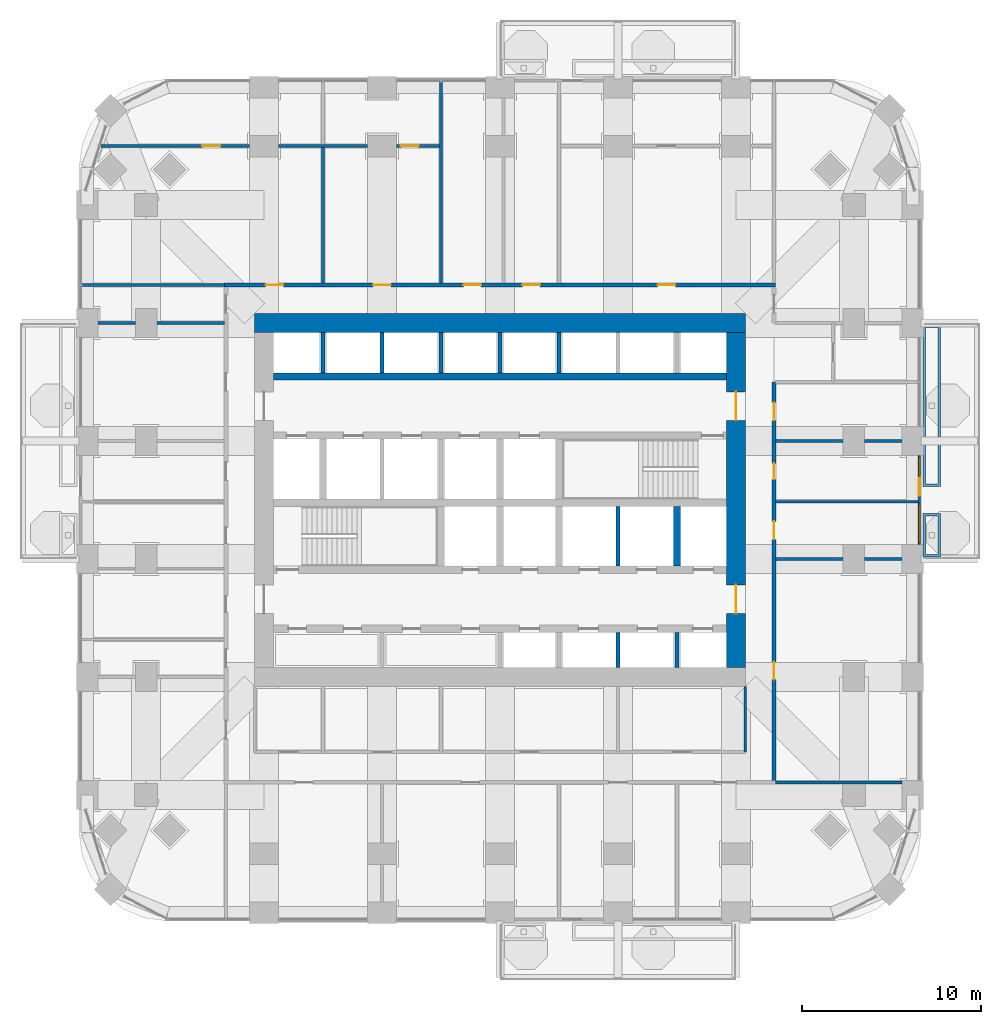
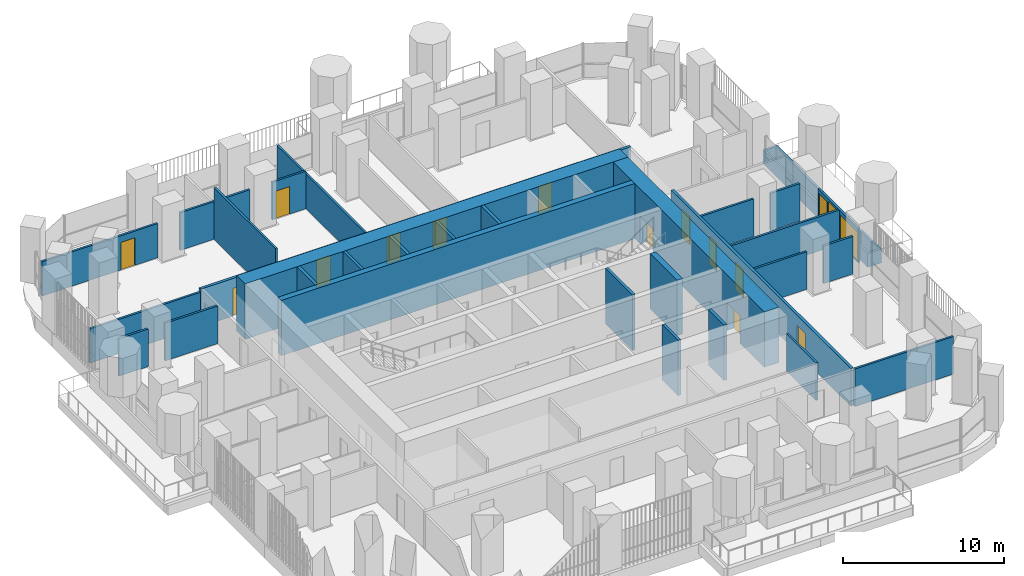
# One storey, part 16 of 22: 32 walls, 14 doors, 2 windows, 16 openings.
"""IFC4 building model written with IfcOpenShell, lengths in metres."""

import ifcopenshell
import ifcopenshell.guid

model = None  # the IFC model being written
_history = None  # IfcOwnerHistory: only IFC2X3 demands one
_inside = {}  # id of a spatial element -> (the spatial element, [elements in it])
_under = {}  # id of a project, library or spatial element -> (it, [spatial elements below it])
_declared = {}  # id of a project -> (the project, [libraries it declares])
_typed = {}  # id of a type object -> (the type object, [elements of that type])
_made_of = {}  # id of a material, layer set ... -> (it, [elements and type objects made of it])


def new_model(schema):
    """Start an empty IFC model of exactly this schema.

    Asked for "IFC4X3", IfcOpenShell would pick the latest addendum, in which some entities
    have other attributes; the version numbers below select the first issue.
    IFC2X3 requires an IfcOwnerHistory on every rooted entity: one is made here for all.
    """
    global model, _history
    if schema == "IFC4X3":
        model = ifcopenshell.file(schema_version=(4, 3, 0, 0))
    else:
        model = ifcopenshell.file(schema=schema)
    _inside.clear()
    _under.clear()
    _declared.clear()
    _typed.clear()
    _made_of.clear()
    _history = None
    if model.schema == "IFC2X3":
        org = make("IfcOrganization", Name="unknown")
        user = make(
            "IfcPersonAndOrganization",
            ThePerson=make("IfcPerson", FamilyName="unknown"),
            TheOrganization=org,
        )
        app = make(
            "IfcApplication",
            ApplicationDeveloper=org,
            Version="unknown",
            ApplicationFullName="unknown",
            ApplicationIdentifier="unknown",
        )
        _history = make(
            "IfcOwnerHistory",
            OwningUser=user,
            OwningApplication=app,
            ChangeAction="ADDED",
            CreationDate=0,
        )
    return model


def make(cls, **values):
    """One entity of the class cls with the attributes given. An attribute that is None is left unset."""
    return model.create_entity(
        cls, **{name: value for name, value in values.items() if value is not None}
    )


def rooted(cls, **values):
    """An entity with a GlobalId (a new one), such as an element, a storey or a relation."""
    return make(cls, GlobalId=ifcopenshell.guid.new(), OwnerHistory=_history, **values)


def si_unit(unit_type, name, prefix=None):
    """IfcSIUnit, for example si_unit("LENGTHUNIT", "METRE", prefix="MILLI")."""
    return make("IfcSIUnit", UnitType=unit_type, Prefix=prefix, Name=name)


def assignment(units):
    """IfcUnitAssignment: the units of a project."""
    return None if units is None else make("IfcUnitAssignment", Units=units)


def point(xyz):
    """IfcCartesianPoint."""
    return None if xyz is None else make("IfcCartesianPoint", Coordinates=xyz)


def direction(xyz):
    """IfcDirection."""
    return None if xyz is None else make("IfcDirection", DirectionRatios=xyz)


def frame(location, z_axis=None, x_axis=None):
    """IfcAxis2Placement3D, a coordinate frame: its origin and axes. An axis left out is left unset."""
    return make(
        "IfcAxis2Placement3D",
        Location=point(location),
        Axis=direction(z_axis),
        RefDirection=direction(x_axis),
    )


def frame_2d(location, x_axis=None):
    """IfcAxis2Placement2D, a coordinate frame in the plane: its origin and x axis."""
    return make(
        "IfcAxis2Placement2D", Location=point(location), RefDirection=direction(x_axis)
    )


def origin():
    """The frame at (0, 0, 0) with its axes left unset."""
    return frame((0.0, 0.0, 0.0))


def place(relative_to, where):
    """IfcLocalPlacement: puts the frame where relative to a parent placement (None: the world)."""
    return make(
        "IfcLocalPlacement", PlacementRelTo=relative_to, RelativePlacement=where
    )


def context(
    kind, dimensions, precision=None, world=None, true_north=None, identifier=None
):
    """IfcGeometricRepresentationContext, for example the 3D "Model" context."""
    return make(
        "IfcGeometricRepresentationContext",
        ContextIdentifier=identifier,
        ContextType=kind,
        CoordinateSpaceDimension=dimensions,
        Precision=precision,
        WorldCoordinateSystem=world,
        TrueNorth=true_north,
    )


def subcontext(parent, identifier, kind, view, scale=None):
    """IfcGeometricRepresentationSubContext, for example "Body" below "Model"."""
    return make(
        "IfcGeometricRepresentationSubContext",
        ContextIdentifier=identifier,
        ContextType=kind,
        ParentContext=parent,
        TargetScale=scale,
        TargetView=view,
    )


def project(units=None, contexts=None):
    """IfcProject with its units and contexts."""
    return rooted(
        "IfcProject",
        Name="project",
        RepresentationContexts=contexts,
        UnitsInContext=assignment(units),
    )


def spatial(cls, under=None, at=None, **own):
    """A site, building, storey or space (cls), placed at a placement, below another one or the project."""
    s = rooted(cls, ObjectPlacement=at, **own)
    if under is not None:
        _under.setdefault(under.id(), (under, []))[1].append(s)
    return s


def polyline(points):
    """IfcPolyline through the points."""
    return make("IfcPolyline", Points=[point(p) for p in points])


def profile(cls, at=None, kind="AREA", **sizes):
    """A parametric profile (cls). Its sizes go by their IFC names, for example OverallWidth=200.0."""
    return make(cls, ProfileType=kind, Position=at, **sizes)


def rectangle(**sizes):
    """IfcRectangleProfileDef."""
    return profile("IfcRectangleProfileDef", **sizes)


def outline(outer, holes=None, kind="AREA"):
    """IfcArbitraryClosedProfileDef: a profile drawn as a closed curve; with holes, ...WithVoids."""
    if holes is None:
        return make("IfcArbitraryClosedProfileDef", ProfileType=kind, OuterCurve=outer)
    return make(
        "IfcArbitraryProfileDefWithVoids",
        ProfileType=kind,
        OuterCurve=outer,
        InnerCurves=holes,
    )


def extrude(swept, where, along, depth):
    """IfcExtrudedAreaSolid: the profile swept, set in the frame where, extruded along a direction by depth."""
    return make(
        "IfcExtrudedAreaSolid",
        SweptArea=swept,
        Position=where,
        ExtrudedDirection=direction(along),
        Depth=depth,
    )


def shape(context_of_items, identifier, shape_type, items):
    """IfcShapeRepresentation: the items that make up one representation, for example the "Body"."""
    return make(
        "IfcShapeRepresentation",
        ContextOfItems=context_of_items,
        RepresentationIdentifier=identifier,
        RepresentationType=shape_type,
        Items=items,
    )


def material(Name=None, Category=None):
    """IfcMaterial."""
    return make("IfcMaterial", Name=Name, Category=Category)


def layer(
    of_material, thickness, ventilated=None, Name=None, Category=None, Priority=None
):
    """IfcMaterialLayer: one layer of a wall or slab, of a material (None: an air gap)."""
    return make(
        "IfcMaterialLayer",
        Material=of_material,
        LayerThickness=thickness,
        IsVentilated=ventilated,
        Name=Name,
        Category=Category,
        Priority=Priority,
    )


def layer_set(layers, Name=None):
    """IfcMaterialLayerSet."""
    return make("IfcMaterialLayerSet", MaterialLayers=layers, LayerSetName=Name)


def made_of(thing, what):
    """Note that an element or type object is made of a material, layer set ...; save() writes the relation."""
    if what is not None:
        _made_of.setdefault(what.id(), (what, []))[1].append(thing)
    return thing


def type_object(cls, material=None, **own):
    """A type object (cls), such as IfcWallType, which elements share."""
    return made_of(rooted(cls, **own), material)


def element(
    cls,
    number,
    at=None,
    inside=None,
    cuts=None,
    type_object=None,
    material=None,
    context=None,
    identifier="Body",
    shape_type=None,
    held_by="IfcProductDefinitionShape",
    body=None,
    shapes=None,
    **own,
):
    """One element of the class cls, such as IfcWall. Its Tag is "e" and its number.

    at: its placement. inside: the storey or other place that contains it. cuts: it is an
    opening in that element (IfcRelVoidsElement). A single representation is given by context,
    identifier, shape_type and body (its items); several are given by shapes. held_by: the class
    of the entity that holds the representations. save() writes the other relations.
    """
    e = rooted(cls, Tag="e%d" % number, ObjectPlacement=at, **own)
    if body is not None:
        shapes = [shape(context, identifier, shape_type, body)]
    if shapes is not None:
        e.Representation = make(held_by, Representations=shapes)
    if inside is not None:
        _inside.setdefault(inside.id(), (inside, []))[1].append(e)
    if cuts is not None:
        rooted(
            "IfcRelVoidsElement", RelatingBuildingElement=cuts, RelatedOpeningElement=e
        )
    if type_object is not None:
        _typed.setdefault(type_object.id(), (type_object, []))[1].append(e)
    return made_of(e, material)


def fill(opening, filler):
    """IfcRelFillsElement: the door or window that sits in an opening."""
    return rooted(
        "IfcRelFillsElement",
        RelatingOpeningElement=opening,
        RelatedBuildingElement=filler,
    )


def aggregate(whole, parts):
    """IfcRelAggregates: a whole, such as a stair, and the parts it consists of."""
    return rooted("IfcRelAggregates", RelatingObject=whole, RelatedObjects=parts)


def save(model, path):
    """Write the relations noted so far, then the file.

    IfcRelAggregates (storeys below a building ...), IfcRelContainedInSpatialStructure (elements
    in a storey), IfcRelDefinesByType, IfcRelAssociatesMaterial and IfcRelDeclares: one each for
    every whole, place, type object, material and project.
    """
    for whole, parts in _under.values():
        aggregate(whole, parts)
    for where, things in _inside.values():
        rooted(
            "IfcRelContainedInSpatialStructure",
            RelatedElements=things,
            RelatingStructure=where,
        )
    for kind, things in _typed.values():
        rooted("IfcRelDefinesByType", RelatedObjects=things, RelatingType=kind)
    for what, things in _made_of.values():
        rooted("IfcRelAssociatesMaterial", RelatedObjects=things, RelatingMaterial=what)
    for by, libraries in _declared.values():
        rooted("IfcRelDeclares", RelatingContext=by, RelatedDefinitions=libraries)
    model.write(path)


model = new_model("IFC4")

# Units and contexts
model_context = context("Model", 3, precision=1e-05, world=origin(), true_north=direction((0.0, 1.0)))
body_context = subcontext(model_context, "Body", "Model", "MODEL_VIEW")
ifc_project = project(units=[si_unit("LENGTHUNIT", "METRE"), si_unit("AREAUNIT", "SQUARE_METRE"), si_unit("VOLUMEUNIT", "CUBIC_METRE"), si_unit("PLANEANGLEUNIT", "RADIAN"), si_unit("MASSUNIT", "GRAM", prefix="KILO")], contexts=[model_context])

# Site, building, storey
site_placement = place(None, origin())
site = spatial("IfcSite", under=ifc_project, at=site_placement, CompositionType="ELEMENT")
building_placement = place(site_placement, origin())
building = spatial("IfcBuilding", under=site, at=building_placement, Name="Cobogo Forest Laboratory Tower", CompositionType="ELEMENT")
storey_placement = place(building_placement, frame((0.0, 0.0, 136.800048828125)))
storey = spatial("IfcBuildingStorey", under=building, at=storey_placement, Name="L31", CompositionType="ELEMENT", Elevation=136.800048828125)

# Walls
ifc_material_1 = material(Name="Concrete HA-50 (C50/60)", Category="concrete")
ifc_layer_1 = layer(ifc_material_1, 0.39990234375)
ifc_layer_set_1 = layer_set([ifc_layer_1], Name="CI400 core inner wall 400")
wall_type_1 = type_object("IfcWallType", Name="CI400 core inner wall 400", PredefinedType="SHEAR", material=ifc_layer_set_1)
wall_1_placement = place(storey_placement, frame((13.72509765625, 30.0, 0.0), z_axis=(0.0, 0.0, 1.0), x_axis=(1.0, 0.0, 0.0)))
element("IfcWall", 1, at=wall_1_placement, inside=storey, type_object=wall_type_1, Name="Core wall CI-30.0 L31", PredefinedType="SHEAR", context=body_context, shape_type="SweptSolid", body=[
    extrude(rectangle(XDim=25.349853515625, YDim=0.39990234375, at=frame_2d((12.6748046875, 0.0))), origin(), (0.0, 0.0, 1.0), 4.199951171875),
])
wall_2_placement = place(storey_placement, frame((36.300048828125, 19.39990234375, 0.0), z_axis=(0.0, 0.0, 1.0), x_axis=(0.0, 1.0, 0.0)))
element("IfcWall", 2, at=wall_2_placement, inside=storey, type_object=wall_type_1, Name="Core wall CX-36.3 L31", PredefinedType="SHEAR", context=body_context, shape_type="SweptSolid", body=[
    extrude(rectangle(XDim=3.35009765625, YDim=0.39990234375, at=frame_2d((1.675048828125, 0.0))), origin(), (0.0, 0.0, 1.0), 4.199951171875),
])

# Wall, openings, doors
ifc_layer_2 = layer(ifc_material_1, 1.050048828125)
ifc_layer_set_2 = layer_set([ifc_layer_2], Name="CW1050 core outer wall 1050")
wall_type_2 = type_object("IfcWallType", Name="CW1050 core outer wall 1050", PredefinedType="SHEAR", material=ifc_layer_set_2)
wall_3_placement = place(storey_placement, frame((39.60009765625, 13.72509765625, 0.0), z_axis=(0.0, 0.0, 1.0), x_axis=(0.0, 1.0, 0.0)))
wall_3 = element("IfcWall", 3, at=wall_3_placement, inside=storey, type_object=wall_type_2, Name="Core wall CO-E L31", PredefinedType="SHEAR", context=body_context, shape_type="SweptSolid", body=[
    extrude(rectangle(XDim=18.75, YDim=1.050048828125, at=frame_2d((9.375, 0.0))), origin(), (0.0, 0.0, 1.0), 4.199951171875),
])
opening_1_placement = place(wall_3_placement, frame((3.02490234375, 0.0, 0.0)))
opening_1 = element("IfcOpeningElement", 4, at=opening_1_placement, cuts=wall_3, Name="Opening L31-D19", PredefinedType="OPENING", context=body_context, shape_type="SweptSolid", body=[
    extrude(rectangle(XDim=1.60009765625, YDim=2.10009765625, at=frame_2d((0.800048828125, 1.050048828125))), frame((0.0, 0.534912109375, 0.0), z_axis=(0.0, -1.0, 0.0), x_axis=(1.0, 0.0, 0.0)), (0.0, 0.0, 1.0), 1.070068359375),
])
opening_2_placement = place(wall_3_placement, frame((13.824951171875, 0.0, 0.0)))
opening_2 = element("IfcOpeningElement", 5, at=opening_2_placement, cuts=wall_3, Name="Opening L31-D32", PredefinedType="OPENING", context=body_context, shape_type="SweptSolid", body=[
    extrude(rectangle(XDim=1.60009765625, YDim=2.10009765625, at=frame_2d((0.800048828125, 1.050048828125))), frame((0.0, 0.534912109375, 0.0), z_axis=(0.0, -1.0, 0.0), x_axis=(1.0, 0.0, 0.0)), (0.0, 0.0, 1.0), 1.070068359375),
])
ifc_material_2 = material(Name="Steel fire door", Category="steel")
door_type_1 = type_object("IfcDoorType", Name="DS2 protected lobby door pair 1600 EI2 60", OperationType="DOUBLE_DOOR_DOUBLE_SWING", PredefinedType="DOOR", material=ifc_material_2)
door_1_placement = place(opening_1_placement, origin())
door_1 = element("IfcDoor", 6, at=door_1_placement, inside=storey, type_object=door_type_1, Name="Door L31-CO-E-S", OperationType="DOUBLE_DOOR_DOUBLE_SWING", OverallHeight=2.10009765625, OverallWidth=1.60009765625, PredefinedType="DOOR", context=body_context, shape_type="SweptSolid", body=[
    extrude(rectangle(XDim=1.60009765625, YDim=2.10009765625, at=frame_2d((0.800048828125, 1.050048828125))), frame((0.0, 0.02490234375, 0.0), z_axis=(0.0, -1.0, 0.0), x_axis=(1.0, 0.0, 0.0)), (0.0, 0.0, 1.0), 0.050048828125),
])
fill(opening_1, door_1)
door_2_placement = place(opening_2_placement, origin())
door_2 = element("IfcDoor", 7, at=door_2_placement, inside=storey, type_object=door_type_1, Name="Door L31-CO-E-N", OperationType="DOUBLE_DOOR_DOUBLE_SWING", OverallHeight=2.10009765625, OverallWidth=1.60009765625, PredefinedType="DOOR", context=body_context, shape_type="SweptSolid", body=[
    extrude(rectangle(XDim=1.60009765625, YDim=2.10009765625, at=frame_2d((0.800048828125, 1.050048828125))), frame((0.0, 0.02490234375, 0.0), z_axis=(0.0, -1.0, 0.0), x_axis=(1.0, 0.0, 0.0)), (0.0, 0.0, 1.0), 0.050048828125),
])
fill(opening_2, door_2)

# Wall
wall_4_placement = place(storey_placement, frame((40.125, 33.0, 0.0), z_axis=(0.0, 0.0, 1.0), x_axis=(-1.0, 0.0, 0.0)))
element("IfcWall", 8, at=wall_4_placement, inside=storey, type_object=wall_type_2, Name="Core wall CO-N L31", PredefinedType="SHEAR", context=body_context, shape_type="SweptSolid", body=[
    extrude(rectangle(XDim=27.449951171875, YDim=1.050048828125, at=frame_2d((13.72509765625, 0.0))), origin(), (0.0, 0.0, 1.0), 4.199951171875),
])

# Wall, openings, door, windows
ifc_material_3 = material(Name="Aluminium framed glazed screen", Category="aluminium")
ifc_layer_3 = layer(ifc_material_3, 0.14990234375)
ifc_layer_set_3 = layer_set([ifc_layer_3], Name="GS1 glazed door screen 150")
wall_type_3 = type_object("IfcWallType", Name="GS1 glazed door screen 150", PredefinedType="SOLIDWALL", material=ifc_layer_set_3)
wall_5_placement = place(storey_placement, frame((49.85009765625, 20.60009765625, 0.0), z_axis=(0.0, 0.0, 1.0), x_axis=(0.0, 1.0, 0.0)))
wall_5 = element("IfcWall", 9, at=wall_5_placement, inside=storey, type_object=wall_type_3, Name="Door screen BAL-E1 L31", PredefinedType="SOLIDWALL", context=body_context, shape_type="SweptSolid", body=[
    extrude(rectangle(XDim=5.0, YDim=0.14990234375, at=frame_2d((2.5, 0.0))), origin(), (0.0, 0.0, 1.0), 2.599853515625),
])
opening_3_placement = place(wall_5_placement, frame((2.75, 0.0, 0.0)))
opening_3 = element("IfcOpeningElement", 10, at=opening_3_placement, cuts=wall_5, Name="Opening L31-D26", PredefinedType="OPENING", context=body_context, shape_type="SweptSolid", body=[
    extrude(rectangle(XDim=1.0, YDim=2.39990234375, at=frame_2d((0.5, 1.199951171875))), frame((0.0, 0.0849609375, 0.0), z_axis=(0.0, -1.0, 0.0), x_axis=(1.0, 0.0, 0.0)), (0.0, 0.0, 1.0), 0.169921875),
])
opening_4_placement = place(wall_5_placement, frame((0.10009765625, 0.0, 0.10009765625)))
opening_4 = element("IfcOpeningElement", 11, at=opening_4_placement, cuts=wall_5, Name="Opening L31-W04", PredefinedType="OPENING", context=body_context, shape_type="SweptSolid", body=[
    extrude(rectangle(XDim=2.14990234375, YDim=2.199951171875, at=frame_2d((1.074951171875, 1.10009765625))), frame((0.0, 0.0849609375, 0.0), z_axis=(0.0, -1.0, 0.0), x_axis=(1.0, 0.0, 0.0)), (0.0, 0.0, 1.0), 0.169921875),
])
opening_5_placement = place(wall_5_placement, frame((3.85009765625, 0.0, 0.10009765625)))
opening_5 = element("IfcOpeningElement", 12, at=opening_5_placement, cuts=wall_5, Name="Opening L31-W06", PredefinedType="OPENING", context=body_context, shape_type="SweptSolid", body=[
    extrude(rectangle(XDim=1.050048828125, YDim=2.199951171875, at=frame_2d((0.52490234375, 1.10009765625))), frame((0.0, 0.0849609375, 0.0), z_axis=(0.0, -1.0, 0.0), x_axis=(1.0, 0.0, 0.0)), (0.0, 0.0, 1.0), 0.169921875),
])
ifc_material_4 = material(Name="Aluminium glazed door", Category="aluminium")
door_type_2 = type_object("IfcDoorType", Name="DB1 balcony door 1000 glazed", OperationType="SINGLE_SWING_LEFT", PredefinedType="DOOR", material=ifc_material_4)
door_3_placement = place(opening_3_placement, origin())
door_3 = element("IfcDoor", 13, at=door_3_placement, inside=storey, type_object=door_type_2, Name="Door L31-BAL-E1", OperationType="SINGLE_SWING_RIGHT", OverallHeight=2.39990234375, OverallWidth=1.0, PredefinedType="DOOR", context=body_context, shape_type="SweptSolid", body=[
    extrude(rectangle(XDim=1.0, YDim=2.39990234375, at=frame_2d((0.5, 1.199951171875))), frame((0.0, 0.02490234375, 0.0), z_axis=(0.0, -1.0, 0.0), x_axis=(1.0, 0.0, 0.0)), (0.0, 0.0, 1.0), 0.050048828125),
])
fill(opening_3, door_3)
ifc_material_5 = material(Name="Aluminium framed glazing", Category="aluminium")
window_type_1 = type_object("IfcWindowType", Name="WG17 fixed glazed light 2150x2200", PartitioningType="SINGLE_PANEL", PredefinedType="WINDOW", material=ifc_material_5)
window_1_placement = place(opening_4_placement, origin())
window_1 = element("IfcWindow", 14, at=window_1_placement, inside=storey, type_object=window_type_1, Name="Window L31-BAL-E1-1", OverallHeight=2.199951171875, OverallWidth=2.14990234375, PartitioningType="SINGLE_PANEL", PredefinedType="WINDOW", context=body_context, shape_type="SweptSolid", body=[
    extrude(rectangle(XDim=2.14990234375, YDim=2.199951171875, at=frame_2d((1.074951171875, 1.10009765625))), frame((0.0, 0.030029296875, 0.0), z_axis=(0.0, -1.0, 0.0), x_axis=(1.0, 0.0, 0.0)), (0.0, 0.0, 1.0), 0.06005859375),
])
fill(opening_4, window_1)
window_type_2 = type_object("IfcWindowType", Name="WG18 fixed glazed light 1050x2200", PartitioningType="SINGLE_PANEL", PredefinedType="WINDOW", material=ifc_material_5)
window_2_placement = place(opening_5_placement, origin())
window_2 = element("IfcWindow", 15, at=window_2_placement, inside=storey, type_object=window_type_2, Name="Window L31-BAL-E1-2", OverallHeight=2.199951171875, OverallWidth=1.050048828125, PartitioningType="SINGLE_PANEL", PredefinedType="WINDOW", context=body_context, shape_type="SweptSolid", body=[
    extrude(rectangle(XDim=1.050048828125, YDim=2.199951171875, at=frame_2d((0.52490234375, 1.10009765625))), frame((0.0, 0.030029296875, 0.0), z_axis=(0.0, -1.0, 0.0), x_axis=(1.0, 0.0, 0.0)), (0.0, 0.0, 1.0), 0.06005859375),
])
fill(opening_5, window_2)

# Walls
ifc_material_6 = material(Name="Gypsum board on steel studs", Category="steel")
ifc_layer_4 = layer(ifc_material_6, 0.14990234375)
ifc_layer_set_4 = layer_set([ifc_layer_4], Name="PT1 laboratory partition 150")
wall_type_4 = type_object("IfcWallType", Name="PT1 laboratory partition 150", PredefinedType="PARTITIONING", material=ifc_layer_set_4)
wall_6_placement = place(storey_placement, frame((40.125, 12.675048828125, 0.0), z_axis=(0.0, 0.0, 1.0), x_axis=(0.0, -1.0, 0.0)))
element("IfcWall", 16, at=wall_6_placement, inside=storey, type_object=wall_type_4, Name="Partition CSTRIP-SE L31", PredefinedType="PARTITIONING", context=body_context, shape_type="SweptSolid", body=[
    extrude(rectangle(XDim=3.675048828125, YDim=0.14990234375, at=frame_2d((1.83740234375, 0.0))), origin(), (0.0, 0.0, 1.0), 2.849853515625),
])
wall_7_placement = place(storey_placement, frame((48.89990234375, 7.300048828125, 0.0), z_axis=(0.0, 0.0, 1.0), x_axis=(-1.0, 0.0, 0.0)))
element("IfcWall", 17, at=wall_7_placement, inside=storey, type_object=wall_type_4, Name="Partition PW-SE L31", PredefinedType="PARTITIONING", context=body_context, shape_type="SweptSolid", body=[
    extrude(rectangle(XDim=7.074951171875, YDim=0.14990234375, at=frame_2d((3.53759765625, 0.0))), origin(), (0.0, 0.0, 1.0), 2.849853515625),
])
for number, where, z_axis, x_axis, name in (
    (18, (3.030029296875, 35.125, 0.0), (0.0, 0.0, 1.0), (1.0, 0.0, 0.0), "Partition PW-NW L31"),
    (19, (49.77001953125, 23.0, 0.0), (0.0, 0.0, 1.0), (-1.0, 0.0, 0.0), "Partition SVC-E1-1 L31"),
):
    element("IfcWall", number, at=place(storey_placement, frame(where, z_axis=z_axis, x_axis=x_axis)), inside=storey, type_object=wall_type_4, Name=name, PredefinedType="PARTITIONING", context=body_context, shape_type="SweptSolid", body=[
        extrude(rectangle(XDim=7.945068359375, YDim=0.14990234375, at=frame_2d((3.97265625, 0.0))), origin(), (0.0, 0.0, 1.0), 2.599853515625),
    ])
wall_8_placement = place(storey_placement, frame((48.89990234375, 26.39990234375, 0.0), z_axis=(0.0, 0.0, 1.0), x_axis=(-1.0, 0.0, 0.0)))
element("IfcWall", 20, at=wall_8_placement, inside=storey, type_object=wall_type_4, Name="Partition SVC-E2-1 L31", PredefinedType="PARTITIONING", context=body_context, shape_type="SweptSolid", body=[
    extrude(rectangle(XDim=2.099853515625, YDim=0.14990234375, at=frame_2d((1.0498046875, 0.0))), origin(), (0.0, 0.0, 1.0), 2.849853515625),
])
wall_9_placement = place(storey_placement, frame((45.60009765625, 26.39990234375, 0.0), z_axis=(0.0, 0.0, 1.0), x_axis=(-1.0, 0.0, 0.0)))
element("IfcWall", 21, at=wall_9_placement, inside=storey, type_object=wall_type_4, Name="Partition SVC-E2-2 L31", PredefinedType="PARTITIONING", context=body_context, shape_type="SweptSolid", body=[
    extrude(rectangle(XDim=3.775146484375, YDim=0.14990234375, at=frame_2d((1.8876953125, 0.0))), origin(), (0.0, 0.0, 1.0), 2.849853515625),
])
wall_10_placement = place(storey_placement, frame((48.89990234375, 19.800048828125, 0.0), z_axis=(0.0, 0.0, 1.0), x_axis=(-1.0, 0.0, 0.0)))
element("IfcWall", 22, at=wall_10_placement, inside=storey, type_object=wall_type_4, Name="Partition CUT-E19.8-1 L31", PredefinedType="PARTITIONING", context=body_context, shape_type="SweptSolid", body=[
    extrude(rectangle(XDim=2.099853515625, YDim=0.14990234375, at=frame_2d((1.0498046875, 0.0))), origin(), (0.0, 0.0, 1.0), 2.849853515625),
])
wall_11_placement = place(storey_placement, frame((45.60009765625, 19.800048828125, 0.0), z_axis=(0.0, 0.0, 1.0), x_axis=(-1.0, 0.0, 0.0)))
element("IfcWall", 23, at=wall_11_placement, inside=storey, type_object=wall_type_4, Name="Partition CUT-E19.8-2 L31", PredefinedType="PARTITIONING", context=body_context, shape_type="SweptSolid", body=[
    extrude(rectangle(XDim=3.775146484375, YDim=0.14990234375, at=frame_2d((1.8876953125, 0.0))), origin(), (0.0, 0.0, 1.0), 2.849853515625),
])

# Wall, opening, door
wall_12_placement = place(storey_placement, frame((23.02490234375, 42.89990234375, 0.0), z_axis=(0.0, 0.0, 1.0), x_axis=(-1.0, 0.0, 0.0)))
wall_12 = element("IfcWall", 24, at=wall_12_placement, inside=storey, type_object=wall_type_4, Name="Partition STRIP-N-4 L31", PredefinedType="PARTITIONING", context=body_context, shape_type="SweptSolid", body=[
    extrude(rectangle(XDim=2.4248046875, YDim=0.14990234375, at=frame_2d((1.21240234375, 0.0))), origin(), (0.0, 0.0, 1.0), 2.849853515625),
])
opening_6_placement = place(wall_12_placement, frame((1.175048828125, 0.0, 0.0)))
opening_6 = element("IfcOpeningElement", 25, at=opening_6_placement, cuts=wall_12, Name="Opening L31-D43", PredefinedType="OPENING", context=body_context, shape_type="SweptSolid", body=[
    extrude(rectangle(XDim=1.0, YDim=2.10009765625, at=frame_2d((0.5, 1.050048828125))), frame((0.0, 0.0849609375, 0.0), z_axis=(0.0, -1.0, 0.0), x_axis=(1.0, 0.0, 0.0)), (0.0, 0.0, 1.0), 0.169921875),
])
ifc_material_7 = material(Name="Timber fire door", Category="wood")
door_type_3 = type_object("IfcDoorType", Name="FD2 fire door 1000 EI2 30", OperationType="SINGLE_SWING_LEFT", PredefinedType="DOOR", material=ifc_material_7)
door_4_placement = place(opening_6_placement, origin())
door_4 = element("IfcDoor", 26, at=door_4_placement, inside=storey, type_object=door_type_3, Name="Door L31-N2W", OperationType="SINGLE_SWING_RIGHT", OverallHeight=2.10009765625, OverallWidth=1.0, PredefinedType="DOOR", context=body_context, shape_type="SweptSolid", body=[
    extrude(rectangle(XDim=1.0, YDim=2.10009765625, at=frame_2d((0.5, 1.050048828125))), frame((0.0, 0.02490234375, 0.0), z_axis=(0.0, -1.0, 0.0), x_axis=(1.0, 0.0, 0.0)), (0.0, 0.0, 1.0), 0.050048828125),
])
fill(opening_6, door_4)

# Wall
wall_13_placement = place(storey_placement, frame((19.0, 42.89990234375, 0.0), z_axis=(0.0, 0.0, 1.0), x_axis=(-1.0, 0.0, 0.0)))
element("IfcWall", 27, at=wall_13_placement, inside=storey, type_object=wall_type_4, Name="Partition STRIP-N-5 L31", PredefinedType="PARTITIONING", context=body_context, shape_type="SweptSolid", body=[
    extrude(rectangle(XDim=5.0, YDim=0.14990234375, at=frame_2d((2.5, 0.0))), origin(), (0.0, 0.0, 1.0), 2.849853515625),
])

# Wall, opening, door
wall_14_placement = place(storey_placement, frame((12.39990234375, 42.89990234375, 0.0), z_axis=(0.0, 0.0, 1.0), x_axis=(-1.0, 0.0, 0.0)))
wall_14 = element("IfcWall", 28, at=wall_14_placement, inside=storey, type_object=wall_type_4, Name="Partition STRIP-N-6 L31", PredefinedType="PARTITIONING", context=body_context, shape_type="SweptSolid", body=[
    extrude(rectangle(XDim=8.323974609375, YDim=0.14990234375, at=frame_2d((4.162109375, 0.0))), origin(), (0.0, 0.0, 1.0), 2.599853515625),
])
opening_7_placement = place(wall_14_placement, frame((1.64208984375, 0.0, 0.0)))
opening_7 = element("IfcOpeningElement", 29, at=opening_7_placement, cuts=wall_14, Name="Opening L31-D42", PredefinedType="OPENING", context=body_context, shape_type="SweptSolid", body=[
    extrude(rectangle(XDim=1.0, YDim=2.10009765625, at=frame_2d((0.5, 1.050048828125))), frame((0.0, 0.0849609375, 0.0), z_axis=(0.0, -1.0, 0.0), x_axis=(1.0, 0.0, 0.0)), (0.0, 0.0, 1.0), 0.169921875),
])
door_5_placement = place(opening_7_placement, origin())
door_5 = element("IfcDoor", 30, at=door_5_placement, inside=storey, type_object=door_type_3, Name="Door L31-N1W", OperationType="SINGLE_SWING_LEFT", OverallHeight=2.10009765625, OverallWidth=1.0, PredefinedType="DOOR", context=body_context, shape_type="SweptSolid", body=[
    extrude(rectangle(XDim=1.0, YDim=2.10009765625, at=frame_2d((0.5, 1.050048828125))), frame((0.0, 0.02490234375, 0.0), z_axis=(0.0, -1.0, 0.0), x_axis=(1.0, 0.0, 0.0)), (0.0, 0.0, 1.0), 0.050048828125),
])
fill(opening_7, door_5)

# Walls
wall_15_placement = place(storey_placement, frame((16.5, 42.824951171875, 0.0), z_axis=(0.0, 0.0, 1.0), x_axis=(0.0, -1.0, 0.0)))
element("IfcWall", 31, at=wall_15_placement, inside=storey, type_object=wall_type_4, Name="Partition CUT-N16.5b-1 L31", PredefinedType="PARTITIONING", context=body_context, shape_type="SweptSolid", body=[
    extrude(rectangle(XDim=7.599853515625, YDim=0.14990234375, at=frame_2d((3.7998046875, 0.0))), origin(), (0.0, 0.0, 1.0), 3.89990234375),
])
wall_16_placement = place(storey_placement, frame((23.10009765625, 46.469970703125, 0.0), z_axis=(0.0, 0.0, 1.0), x_axis=(0.0, -1.0, 0.0)))
element("IfcWall", 32, at=wall_16_placement, inside=storey, type_object=wall_type_4, Name="Partition CUT-N23.1-1 L31", PredefinedType="PARTITIONING", context=body_context, shape_type="SweptSolid", body=[
    extrude(rectangle(XDim=11.244873046875, YDim=0.14990234375, at=frame_2d((5.62255859375, 0.0))), origin(), (0.0, 0.0, 1.0), 2.599853515625),
])
wall_17_placement = place(storey_placement, frame((3.89990234375, 33.0, 0.0), z_axis=(0.0, 0.0, 1.0), x_axis=(1.0, 0.0, 0.0)))
element("IfcWall", 33, at=wall_17_placement, inside=storey, type_object=wall_type_4, Name="Partition CUT-W33-1 L31", PredefinedType="PARTITIONING", context=body_context, shape_type="SweptSolid", body=[
    extrude(rectangle(XDim=2.10009765625, YDim=0.14990234375, at=frame_2d((1.050048828125, 0.0))), origin(), (0.0, 0.0, 1.0), 2.849853515625),
])
wall_18_placement = place(storey_placement, frame((7.199951171875, 33.0, 0.0), z_axis=(0.0, 0.0, 1.0), x_axis=(1.0, 0.0, 0.0)))
element("IfcWall", 34, at=wall_18_placement, inside=storey, type_object=wall_type_4, Name="Partition CUT-W33-2 L31", PredefinedType="PARTITIONING", context=body_context, shape_type="SweptSolid", body=[
    extrude(rectangle(XDim=3.775146484375, YDim=0.14990234375, at=frame_2d((1.8876953125, 0.0))), origin(), (0.0, 0.0, 1.0), 2.849853515625),
])

# Wall, openings, doors
ifc_layer_5 = layer(ifc_material_6, 0.199951171875)
ifc_layer_set_5 = layer_set([ifc_layer_5], Name="PT2 fire-rated corridor partition 200")
wall_type_5 = type_object("IfcWallType", Name="PT2 fire-rated corridor partition 200", PredefinedType="PARTITIONING", material=ifc_layer_set_5)
wall_19_placement = place(storey_placement, frame((10.97509765625, 35.125, 0.0), z_axis=(0.0, 0.0, 1.0), x_axis=(1.0, 0.0, 0.0)))
wall_19 = element("IfcWall", 35, at=wall_19_placement, inside=storey, type_object=wall_type_5, Name="Partition CORR-N L31", PredefinedType="PARTITIONING", context=body_context, shape_type="SweptSolid", body=[
    extrude(rectangle(XDim=30.849853515625, YDim=0.199951171875, at=frame_2d((15.4248046875, 0.0))), origin(), (0.0, 0.0, 1.0), 2.849853515625),
])
opening_8_placement = place(wall_19_placement, frame((2.3125, 0.0, 0.0)))
opening_8 = element("IfcOpeningElement", 36, at=opening_8_placement, cuts=wall_19, Name="Opening L31-D37", PredefinedType="OPENING", context=body_context, shape_type="SweptSolid", body=[
    extrude(rectangle(XDim=1.0, YDim=2.10009765625, at=frame_2d((0.5, 1.050048828125))), frame((0.0, 0.10986328125, 0.0), z_axis=(0.0, -1.0, 0.0), x_axis=(1.0, 0.0, 0.0)), (0.0, 0.0, 1.0), 0.219970703125),
])
opening_9_placement = place(wall_19_placement, frame((8.324951171875, 0.0, 0.0)))
opening_9 = element("IfcOpeningElement", 37, at=opening_9_placement, cuts=wall_19, Name="Opening L31-D38", PredefinedType="OPENING", context=body_context, shape_type="SweptSolid", body=[
    extrude(rectangle(XDim=1.0, YDim=2.10009765625, at=frame_2d((0.5, 1.050048828125))), frame((0.0, 0.10986328125, 0.0), z_axis=(0.0, -1.0, 0.0), x_axis=(1.0, 0.0, 0.0)), (0.0, 0.0, 1.0), 0.219970703125),
])
opening_10_placement = place(wall_19_placement, frame((13.375, 0.0, 0.0)))
opening_10 = element("IfcOpeningElement", 38, at=opening_10_placement, cuts=wall_19, Name="Opening L31-D39", PredefinedType="OPENING", context=body_context, shape_type="SweptSolid", body=[
    extrude(rectangle(XDim=1.0, YDim=2.10009765625, at=frame_2d((0.5, 1.050048828125))), frame((0.0, 0.10986328125, 0.0), z_axis=(0.0, -1.0, 0.0), x_axis=(1.0, 0.0, 0.0)), (0.0, 0.0, 1.0), 0.219970703125),
])
opening_11_placement = place(wall_19_placement, frame((16.675048828125, 0.0, 0.0)))
opening_11 = element("IfcOpeningElement", 39, at=opening_11_placement, cuts=wall_19, Name="Opening L31-D40", PredefinedType="OPENING", context=body_context, shape_type="SweptSolid", body=[
    extrude(rectangle(XDim=1.0, YDim=2.10009765625, at=frame_2d((0.5, 1.050048828125))), frame((0.0, 0.10986328125, 0.0), z_axis=(0.0, -1.0, 0.0), x_axis=(1.0, 0.0, 0.0)), (0.0, 0.0, 1.0), 0.219970703125),
])
opening_12_placement = place(wall_19_placement, frame((24.237548828125, 0.0, 0.0)))
opening_12 = element("IfcOpeningElement", 40, at=opening_12_placement, cuts=wall_19, Name="Opening L31-D41", PredefinedType="OPENING", context=body_context, shape_type="SweptSolid", body=[
    extrude(rectangle(XDim=1.0, YDim=2.10009765625, at=frame_2d((0.5, 1.050048828125))), frame((0.0, 0.10986328125, 0.0), z_axis=(0.0, -1.0, 0.0), x_axis=(1.0, 0.0, 0.0)), (0.0, 0.0, 1.0), 0.219970703125),
])
door_6_placement = place(opening_8_placement, origin())
door_6 = element("IfcDoor", 41, at=door_6_placement, inside=storey, type_object=door_type_3, Name="Door L31-N1", OperationType="SINGLE_SWING_LEFT", OverallHeight=2.10009765625, OverallWidth=1.0, PredefinedType="DOOR", context=body_context, shape_type="SweptSolid", body=[
    extrude(rectangle(XDim=1.0, YDim=2.10009765625, at=frame_2d((0.5, 1.050048828125))), frame((0.0, 0.02490234375, 0.0), z_axis=(0.0, -1.0, 0.0), x_axis=(1.0, 0.0, 0.0)), (0.0, 0.0, 1.0), 0.050048828125),
])
fill(opening_8, door_6)
door_7_placement = place(opening_9_placement, origin())
door_7 = element("IfcDoor", 42, at=door_7_placement, inside=storey, type_object=door_type_3, Name="Door L31-N2", OperationType="SINGLE_SWING_LEFT", OverallHeight=2.10009765625, OverallWidth=1.0, PredefinedType="DOOR", context=body_context, shape_type="SweptSolid", body=[
    extrude(rectangle(XDim=1.0, YDim=2.10009765625, at=frame_2d((0.5, 1.050048828125))), frame((0.0, 0.02490234375, 0.0), z_axis=(0.0, -1.0, 0.0), x_axis=(1.0, 0.0, 0.0)), (0.0, 0.0, 1.0), 0.050048828125),
])
fill(opening_9, door_7)
door_8_placement = place(opening_10_placement, origin())
door_8 = element("IfcDoor", 43, at=door_8_placement, inside=storey, type_object=door_type_3, Name="Door L31-MTG", OperationType="SINGLE_SWING_LEFT", OverallHeight=2.10009765625, OverallWidth=1.0, PredefinedType="DOOR", context=body_context, shape_type="SweptSolid", body=[
    extrude(rectangle(XDim=1.0, YDim=2.10009765625, at=frame_2d((0.5, 1.050048828125))), frame((0.0, 0.02490234375, 0.0), z_axis=(0.0, -1.0, 0.0), x_axis=(1.0, 0.0, 0.0)), (0.0, 0.0, 1.0), 0.050048828125),
])
fill(opening_10, door_8)
door_9_placement = place(opening_11_placement, origin())
door_9 = element("IfcDoor", 44, at=door_9_placement, inside=storey, type_object=door_type_3, Name="Door L31-PAN", OperationType="SINGLE_SWING_RIGHT", OverallHeight=2.10009765625, OverallWidth=1.0, PredefinedType="DOOR", context=body_context, shape_type="SweptSolid", body=[
    extrude(rectangle(XDim=1.0, YDim=2.10009765625, at=frame_2d((0.5, 1.050048828125))), frame((0.0, 0.02490234375, 0.0), z_axis=(0.0, -1.0, 0.0), x_axis=(1.0, 0.0, 0.0)), (0.0, 0.0, 1.0), 0.050048828125),
])
fill(opening_11, door_9)
door_10_placement = place(opening_12_placement, origin())
door_10 = element("IfcDoor", 45, at=door_10_placement, inside=storey, type_object=door_type_3, Name="Door L31-N4", OperationType="SINGLE_SWING_RIGHT", OverallHeight=2.10009765625, OverallWidth=1.0, PredefinedType="DOOR", context=body_context, shape_type="SweptSolid", body=[
    extrude(rectangle(XDim=1.0, YDim=2.10009765625, at=frame_2d((0.5, 1.050048828125))), frame((0.0, 0.02490234375, 0.0), z_axis=(0.0, -1.0, 0.0), x_axis=(1.0, 0.0, 0.0)), (0.0, 0.0, 1.0), 0.050048828125),
])
fill(opening_12, door_10)

wall_20_placement = place(storey_placement, frame((41.72509765625, 7.39990234375, 0.0), z_axis=(0.0, 0.0, 1.0), x_axis=(0.0, 1.0, 0.0)))
wall_20 = element("IfcWall", 46, at=wall_20_placement, inside=storey, type_object=wall_type_5, Name="Partition CORR-E-1 L31", PredefinedType="PARTITIONING", context=body_context, shape_type="SweptSolid", body=[
    extrude(rectangle(XDim=22.300048828125, YDim=0.199951171875, at=frame_2d((11.14990234375, 0.0))), origin(), (0.0, 0.0, 1.0), 2.849853515625),
])
opening_13_placement = place(wall_20_placement, frame((5.64990234375, 0.0, 0.0)))
opening_13 = element("IfcOpeningElement", 47, at=opening_13_placement, cuts=wall_20, Name="Opening L31-D11", PredefinedType="OPENING", context=body_context, shape_type="SweptSolid", body=[
    extrude(rectangle(XDim=1.0, YDim=2.10009765625, at=frame_2d((0.5, 1.050048828125))), frame((0.0, 0.10986328125, 0.0), z_axis=(0.0, -1.0, 0.0), x_axis=(1.0, 0.0, 0.0)), (0.0, 0.0, 1.0), 0.219970703125),
])
opening_14_placement = place(wall_20_placement, frame((13.5, 0.0, 0.0)))
opening_14 = element("IfcOpeningElement", 48, at=opening_14_placement, cuts=wall_20, Name="Opening L31-D24", PredefinedType="OPENING", context=body_context, shape_type="SweptSolid", body=[
    extrude(rectangle(XDim=1.0, YDim=2.10009765625, at=frame_2d((0.5, 1.050048828125))), frame((0.0, 0.10986328125, 0.0), z_axis=(0.0, -1.0, 0.0), x_axis=(1.0, 0.0, 0.0)), (0.0, 0.0, 1.0), 0.219970703125),
])
opening_15_placement = place(wall_20_placement, frame((16.85009765625, 0.0, 0.0)))
opening_15 = element("IfcOpeningElement", 49, at=opening_15_placement, cuts=wall_20, Name="Opening L31-D28", PredefinedType="OPENING", context=body_context, shape_type="SweptSolid", body=[
    extrude(rectangle(XDim=0.89990234375, YDim=2.10009765625, at=frame_2d((0.449951171875, 1.050048828125))), frame((0.0, 0.10986328125, 0.0), z_axis=(0.0, -1.0, 0.0), x_axis=(1.0, 0.0, 0.0)), (0.0, 0.0, 1.0), 0.219970703125),
])
opening_16_placement = place(wall_20_placement, frame((20.14990234375, 0.0, 0.0)))
opening_16 = element("IfcOpeningElement", 50, at=opening_16_placement, cuts=wall_20, Name="Opening L31-D30", PredefinedType="OPENING", context=body_context, shape_type="SweptSolid", body=[
    extrude(rectangle(XDim=1.0, YDim=2.10009765625, at=frame_2d((0.5, 1.050048828125))), frame((0.0, 0.10986328125, 0.0), z_axis=(0.0, -1.0, 0.0), x_axis=(1.0, 0.0, 0.0)), (0.0, 0.0, 1.0), 0.219970703125),
])
door_type_4 = type_object("IfcDoorType", Name="FD1 fire door 1000 EI2 60", OperationType="SINGLE_SWING_LEFT", PredefinedType="DOOR", material=ifc_material_2)
door_11_placement = place(opening_14_placement, origin())
door_11 = element("IfcDoor", 51, at=door_11_placement, inside=storey, type_object=door_type_4, Name="Door L31-ELEC", OperationType="SINGLE_SWING_RIGHT", OverallHeight=2.10009765625, OverallWidth=1.0, PredefinedType="DOOR", context=body_context, shape_type="SweptSolid", body=[
    extrude(rectangle(XDim=1.0, YDim=2.10009765625, at=frame_2d((0.5, 1.050048828125))), frame((0.0, 0.02490234375, 0.0), z_axis=(0.0, -1.0, 0.0), x_axis=(1.0, 0.0, 0.0)), (0.0, 0.0, 1.0), 0.050048828125),
])
fill(opening_14, door_11)
door_12_placement = place(opening_13_placement, origin())
door_12 = element("IfcDoor", 52, at=door_12_placement, inside=storey, type_object=door_type_3, Name="Door L31-E1", OperationType="SINGLE_SWING_LEFT", OverallHeight=2.10009765625, OverallWidth=1.0, PredefinedType="DOOR", context=body_context, shape_type="SweptSolid", body=[
    extrude(rectangle(XDim=1.0, YDim=2.10009765625, at=frame_2d((0.5, 1.050048828125))), frame((0.0, 0.02490234375, 0.0), z_axis=(0.0, -1.0, 0.0), x_axis=(1.0, 0.0, 0.0)), (0.0, 0.0, 1.0), 0.050048828125),
])
fill(opening_13, door_12)
door_13_placement = place(opening_16_placement, origin())
door_13 = element("IfcDoor", 53, at=door_13_placement, inside=storey, type_object=door_type_3, Name="Door L31-E2", OperationType="SINGLE_SWING_RIGHT", OverallHeight=2.10009765625, OverallWidth=1.0, PredefinedType="DOOR", context=body_context, shape_type="SweptSolid", body=[
    extrude(rectangle(XDim=1.0, YDim=2.10009765625, at=frame_2d((0.5, 1.050048828125))), frame((0.0, 0.02490234375, 0.0), z_axis=(0.0, -1.0, 0.0), x_axis=(1.0, 0.0, 0.0)), (0.0, 0.0, 1.0), 0.050048828125),
])
fill(opening_16, door_13)
door_type_5 = type_object("IfcDoorType", Name="FD4 riser access door 900 EI2 60", OperationType="SINGLE_SWING_LEFT", PredefinedType="DOOR", material=ifc_material_2)
door_14_placement = place(opening_15_placement, origin())
door_14 = element("IfcDoor", 54, at=door_14_placement, inside=storey, type_object=door_type_5, Name="Door L31-COMMS", OperationType="SINGLE_SWING_RIGHT", OverallHeight=2.10009765625, OverallWidth=0.89990234375, PredefinedType="DOOR", context=body_context, shape_type="SweptSolid", body=[
    extrude(rectangle(XDim=0.89990234375, YDim=2.10009765625, at=frame_2d((0.449951171875, 1.050048828125))), frame((0.0, 0.02490234375, 0.0), z_axis=(0.0, -1.0, 0.0), x_axis=(1.0, 0.0, 0.0)), (0.0, 0.0, 1.0), 0.050048828125),
])
fill(opening_15, door_14)

# Walls
ifc_material_8 = material(Name="Concrete HA-40 (C40/50)", Category="concrete")
ifc_layer_6 = layer(ifc_material_8, 0.14990234375)
ifc_layer_set_6 = layer_set([ifc_layer_6], Name="Planter box 1000x1050")
wall_type_6 = type_object("IfcWallType", Name="Planter box 1000x1050", PredefinedType="USERDEFINED", material=ifc_layer_set_6)
wall_21_placement = place(storey_placement, origin())
element("IfcWall", 55, at=wall_21_placement, inside=storey, type_object=wall_type_6, Name="Planter BAL-E1-1 L31", ObjectType="PLANTER", PredefinedType="USERDEFINED", context=body_context, shape_type="SweptSolid", body=[
    extrude(outline(polyline([(50.050048828125, 19.89990234375), (51.050048828125, 19.89990234375), (51.050048828125, 22.35009765625), (50.050048828125, 22.35009765625), (50.050048828125, 19.89990234375)]), holes=[polyline([(50.199951171875, 20.050048828125), (50.89990234375, 20.050048828125), (50.89990234375, 22.199951171875), (50.199951171875, 22.199951171875), (50.199951171875, 20.050048828125)])]), origin(), (0.0, 0.0, 1.0), 1.050048828125),
])
wall_22_placement = place(storey_placement, origin())
element("IfcWall", 56, at=wall_22_placement, inside=storey, type_object=wall_type_6, Name="Planter BAL-E1-2 L31", ObjectType="PLANTER", PredefinedType="USERDEFINED", context=body_context, shape_type="SweptSolid", body=[
    extrude(outline(polyline([(50.050048828125, 23.85009765625), (51.050048828125, 23.85009765625), (51.050048828125, 32.89990234375), (50.050048828125, 32.89990234375), (50.050048828125, 23.85009765625)]), holes=[polyline([(50.199951171875, 24.0), (50.89990234375, 24.0), (50.89990234375, 32.75), (50.199951171875, 32.75), (50.199951171875, 24.0)])]), origin(), (0.0, 0.0, 1.0), 1.050048828125),
])
ifc_material_9 = material(Name="Concrete block", Category="concrete")
ifc_layer_7 = layer(ifc_material_9, 0.199951171875)
ifc_layer_set_7 = layer_set([ifc_layer_7], Name="SW200 lift shaft separator 200")
wall_type_7 = type_object("IfcWallType", Name="SW200 lift shaft separator 200", PredefinedType="PARTITIONING", material=ifc_layer_set_7)
for number, where, z_axis, x_axis, name in (
    (57, (16.5, 30.199951171875, 0.0), (0.0, 0.0, 1.0), (0.0, 1.0, 0.0), "Core wall SEP-N1 L31"),
    (58, (19.800048828125, 30.199951171875, 0.0), (0.0, 0.0, 1.0), (0.0, 1.0, 0.0), "Core wall SEP-N2 L31"),
    (59, (23.10009765625, 30.199951171875, 0.0), (0.0, 0.0, 1.0), (0.0, 1.0, 0.0), "Core wall SEP-N3 L31"),
    (60, (26.39990234375, 30.199951171875, 0.0), (0.0, 0.0, 1.0), (0.0, 1.0, 0.0), "Core wall SEP-N4 L31"),
    (61, (29.699951171875, 30.199951171875, 0.0), (0.0, 0.0, 1.0), (0.0, 1.0, 0.0), "Core wall SEP-N5 L31"),
):
    element("IfcWall", number, at=place(storey_placement, frame(where, z_axis=z_axis, x_axis=x_axis)), inside=storey, type_object=wall_type_7, Name=name, PredefinedType="PARTITIONING", context=body_context, shape_type="SweptSolid", body=[
        extrude(rectangle(XDim=2.275146484375, YDim=0.199951171875, at=frame_2d((1.1376953125, 0.0))), origin(), (0.0, 0.0, 1.0), 4.199951171875),
    ])
for number, where, z_axis, x_axis, name in (
    (62, (33.0, 13.72509765625, 0.0), (0.0, 0.0, 1.0), (0.0, 1.0, 0.0), "Core wall SEP-S6 L31"),
    (63, (36.300048828125, 13.72509765625, 0.0), (0.0, 0.0, 1.0), (0.0, 1.0, 0.0), "Core wall SEP-S7 L31"),
):
    element("IfcWall", number, at=place(storey_placement, frame(where, z_axis=z_axis, x_axis=x_axis)), inside=storey, type_object=wall_type_7, Name=name, PredefinedType="PARTITIONING", context=body_context, shape_type="SweptSolid", body=[
        extrude(rectangle(XDim=1.974853515625, YDim=0.199951171875, at=frame_2d((0.9873046875, 0.0))), origin(), (0.0, 0.0, 1.0), 4.199951171875),
    ])
wall_23_placement = place(storey_placement, frame((33.0, 19.39990234375, 0.0), z_axis=(0.0, 0.0, 1.0), x_axis=(0.0, 1.0, 0.0)))
element("IfcWall", 64, at=wall_23_placement, inside=storey, type_object=wall_type_7, Name="Core wall SEP-M33.0 L31", PredefinedType="PARTITIONING", context=body_context, shape_type="SweptSolid", body=[
    extrude(rectangle(XDim=3.35009765625, YDim=0.199951171875, at=frame_2d((1.675048828125, 0.0))), origin(), (0.0, 0.0, 1.0), 4.199951171875),
])

save(model, "model.ifc")
